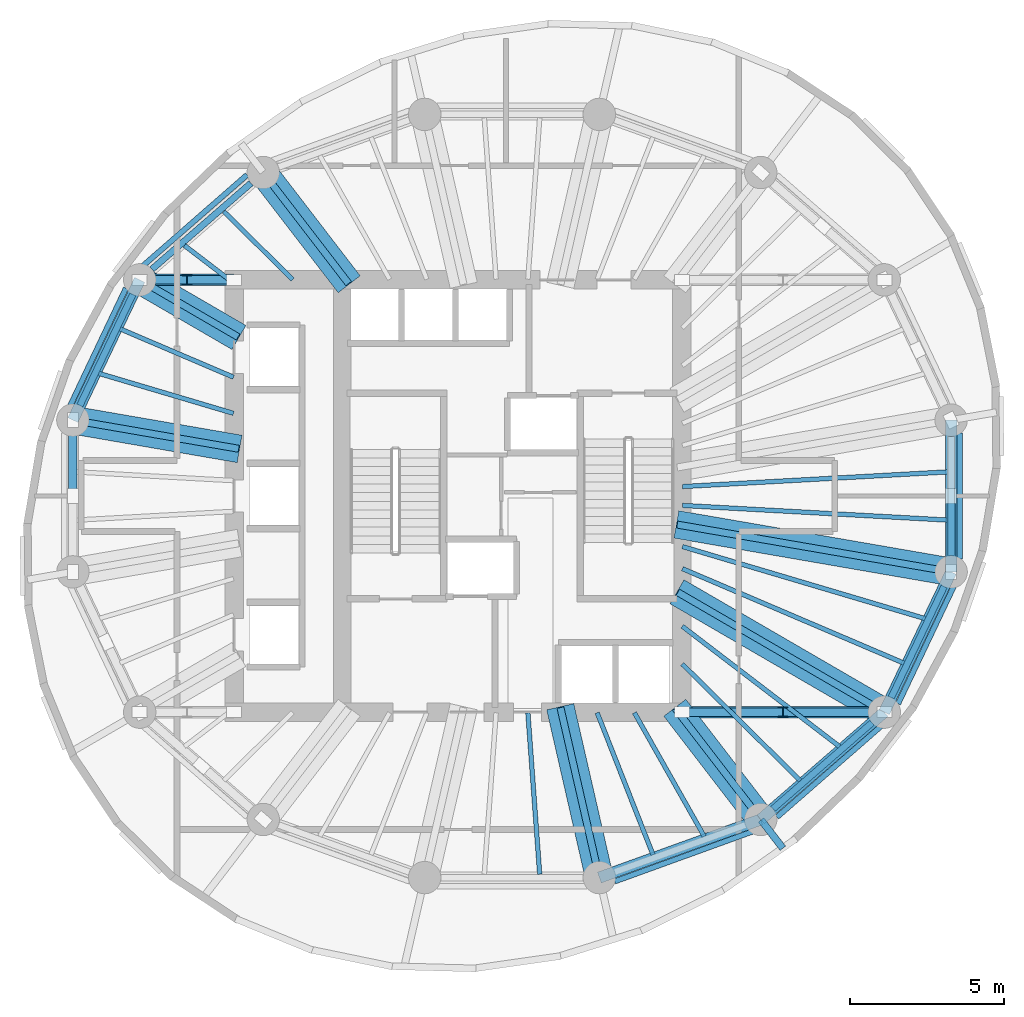
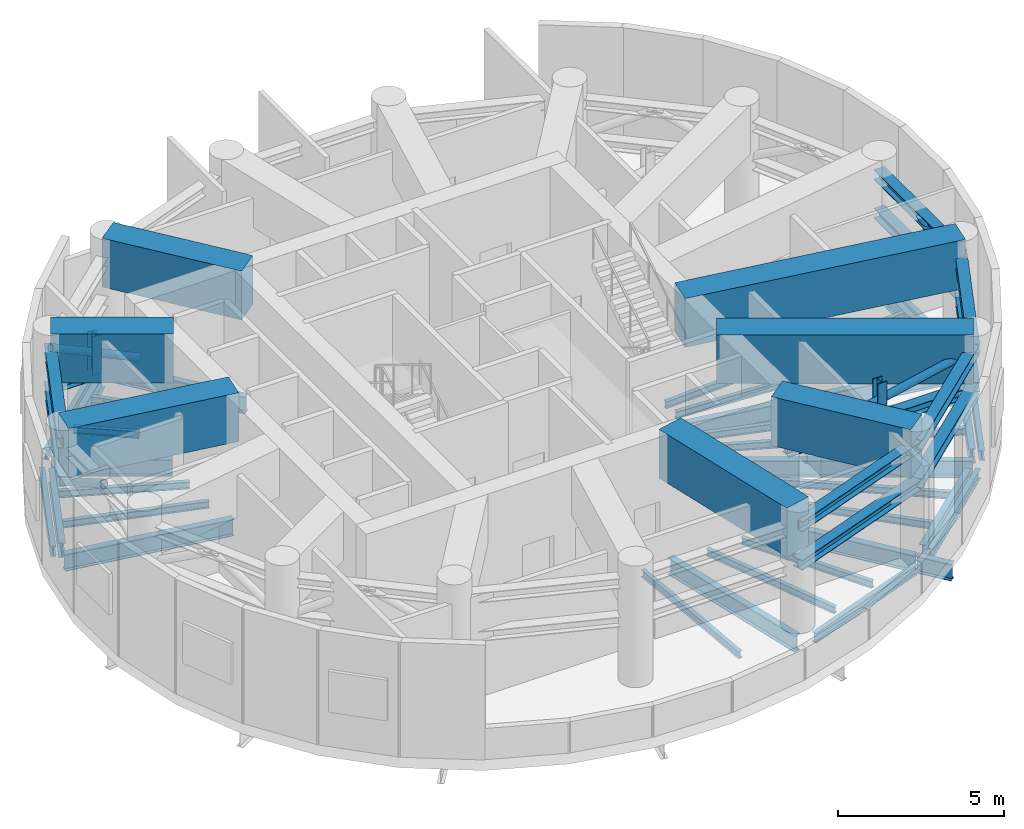
# One storey, part 2 of 8: 39 beams, 18 members.
"""IFC4 building model written with IfcOpenShell, lengths in metres."""

from ifc_helpers import new_model, si_unit, direction, frame, origin, origin_2d, place, context, subcontext, project, spatial, rectangle, hollow_circle, i_section, extrude, material, material_profile, profile_set, type_object, element, save


model = new_model("IFC4")

# Units and contexts
model_context = context("Model", 3, precision=1e-05, world=origin(), true_north=direction((0.0, 1.0)))
body_context = subcontext(model_context, "Body", "Model", "MODEL_VIEW")
ifc_project = project(units=[si_unit("LENGTHUNIT", "METRE"), si_unit("AREAUNIT", "SQUARE_METRE"), si_unit("VOLUMEUNIT", "CUBIC_METRE"), si_unit("PLANEANGLEUNIT", "RADIAN"), si_unit("MASSUNIT", "GRAM", prefix="KILO")], contexts=[model_context])

# Site, building, storey
site_placement = place(None, origin())
site = spatial("IfcSite", under=ifc_project, at=site_placement, CompositionType="ELEMENT")
building_placement = place(site_placement, origin())
building = spatial("IfcBuilding", under=site, at=building_placement, Name="Veldorim Arch Residences", CompositionType="ELEMENT")
storey_placement = place(building_placement, frame((0.0, 0.0, 158.56005859375)))
storey = spatial("IfcBuildingStorey", under=building, at=storey_placement, Name="L47", CompositionType="ELEMENT", Elevation=158.56005859375)

# Beams
ifc_material_1 = material(Name="Concrete C50/60", Category="concrete")
ifc_material_profile_1 = material_profile(ifc_material_1, rectangle(XDim=0.89990234375, YDim=1.800048828125, at=origin_2d()), Name="RC_RECT_900x1800")
ifc_profile_set_1 = profile_set([ifc_material_profile_1], Name="Concrete C50/60")
beam_type_1 = type_object("IfcBeamType", Name="Reinforced Concrete TRANSFER GIRDER RC_RECT_900x1800", PredefinedType="USERDEFINED", material=ifc_profile_set_1)
beam_1_placement = place(storey_placement, frame((26.72705078125, 30.857421875, 3.579833984375), z_axis=(-0.609573781427, 0.792729339054, 0.0), x_axis=(-0.792729339054, -0.609573781427, 0.0)))
element("IfcBeam", 1, at=beam_1_placement, inside=storey, type_object=beam_type_1, Name="L47 zone-setback radial transfer girder 06", ObjectType="TRANSFER GIRDER", PredefinedType="USERDEFINED", context=body_context, shape_type="SweptSolid", body=[
    extrude(rectangle(XDim=0.89990234375, YDim=1.800048828125, at=origin_2d()), origin(), (0.0, 0.0, 1.0), 4.5654296875),
])
beam_2_placement = place(storey_placement, frame((23.15576171875, 29.13525390625, 3.579833984375), z_axis=(-0.864804598535, 0.502108560326, 0.0), x_axis=(-0.502108560326, -0.864804598535, 0.0)))
element("IfcBeam", 2, at=beam_2_placement, inside=storey, type_object=beam_type_1, Name="L47 zone-setback radial transfer girder 07", ObjectType="TRANSFER GIRDER", PredefinedType="USERDEFINED", context=body_context, shape_type="SweptSolid", body=[
    extrude(rectangle(XDim=0.89990234375, YDim=1.800048828125, at=origin_2d()), origin(), (0.0, 0.0, 1.0), 3.71435546875),
])
beam_3_placement = place(storey_placement, frame((23.177490234375, 25.52490234375, 3.579833984375), z_axis=(-0.985391085562, 0.170306806956, 0.0), x_axis=(-0.170306806956, -0.985391085562, 0.0)))
element("IfcBeam", 3, at=beam_3_placement, inside=storey, type_object=beam_type_1, Name="L47 zone-setback radial transfer girder 08", ObjectType="TRANSFER GIRDER", PredefinedType="USERDEFINED", context=body_context, shape_type="SweptSolid", body=[
    extrude(rectangle(XDim=0.89990234375, YDim=1.800048828125, at=origin_2d()), origin(), (0.0, 0.0, 1.0), 5.47900390625),
])
beam_4_placement = place(storey_placement, frame((33.56201171875, 17.175537109375, 3.579833984375), z_axis=(0.223169286535, -0.974779703086, 0.0), x_axis=(0.974779703086, 0.223169286535, 0.0)))
element("IfcBeam", 4, at=beam_4_placement, inside=storey, type_object=beam_type_1, Name="L47 zone-setback radial transfer girder 13", ObjectType="TRANSFER GIRDER", PredefinedType="USERDEFINED", context=body_context, shape_type="SweptSolid", body=[
    extrude(rectangle(XDim=0.89990234375, YDim=1.800048828125, at=origin_2d()), origin(), (0.0, 0.0, 1.0), 5.676513671875),
])
beam_5_placement = place(storey_placement, frame((37.27294921875, 17.142578125, 3.579833984375), z_axis=(0.609573781427, -0.792729339054, 0.0), x_axis=(0.792729339054, 0.609573781427, 0.0)))
element("IfcBeam", 5, at=beam_5_placement, inside=storey, type_object=beam_type_1, Name="L47 zone-setback radial transfer girder 14", ObjectType="TRANSFER GIRDER", PredefinedType="USERDEFINED", context=body_context, shape_type="SweptSolid", body=[
    extrude(rectangle(XDim=0.89990234375, YDim=1.800048828125, at=origin_2d()), origin(), (0.0, 0.0, 1.0), 4.5654296875),
])
beam_6_placement = place(storey_placement, frame((37.34423828125, 20.89697265625, 3.579833984375), z_axis=(0.864798199437, -0.502119581625, 0.0), x_axis=(0.502119581625, 0.864798199437, 0.0)))
element("IfcBeam", 6, at=beam_6_placement, inside=storey, type_object=beam_type_1, Name="L47 zone-setback radial transfer girder 15", ObjectType="TRANSFER GIRDER", PredefinedType="USERDEFINED", context=body_context, shape_type="SweptSolid", body=[
    extrude(rectangle(XDim=0.89990234375, YDim=1.800048828125, at=origin_2d()), origin(), (0.0, 0.0, 1.0), 7.761474609375),
])
beam_7_placement = place(storey_placement, frame((37.322509765625, 23.080078125, 3.579833984375), z_axis=(0.985389793052, -0.170314285219, 0.0), x_axis=(0.170314285219, 0.985389793052, 0.0)))
element("IfcBeam", 7, at=beam_7_placement, inside=storey, type_object=beam_type_1, Name="L47 zone-setback radial transfer girder 16", ObjectType="TRANSFER GIRDER", PredefinedType="USERDEFINED", context=body_context, shape_type="SweptSolid", body=[
    extrude(rectangle(XDim=0.89990234375, YDim=1.800048828125, at=origin_2d()), origin(), (0.0, 0.0, 1.0), 9.03076171875),
])
ifc_material_2 = material(Name="Steel S355", Category="steel")
ifc_material_profile_2 = material_profile(ifc_material_2, i_section(OverallWidth=0.2099609375, OverallDepth=0.53662109375, WebThickness=0.0107421875, FlangeThickness=0.017333984375, at=origin_2d()), Name="UB533x210x101")
ifc_profile_set_2 = profile_set([ifc_material_profile_2], Name="Steel S355")
beam_type_2 = type_object("IfcBeamType", Name="Structural Steel Beam UB533x210x101", PredefinedType="BEAM", material=ifc_profile_set_2)
beam_8_placement = place(storey_placement, frame((23.5478515625, 34.132080078125, -0.66845703125), z_axis=(-0.754810789581, -0.655942582802, 0.0), x_axis=(0.655942582802, -0.754810789581, 0.0)))
element("IfcBeam", 8, at=beam_8_placement, inside=storey, type_object=beam_type_2, Name="L47 perimeter ring tie beam 06", PredefinedType="BEAM", context=body_context, shape_type="SweptSolid", body=[
    extrude(i_section(OverallWidth=0.2099609375, OverallDepth=0.53662109375, WebThickness=0.0107421875, FlangeThickness=0.017333984375, at=origin_2d()), origin(), (0.0, 0.0, 1.0), 4.249755859375),
])
beam_9_placement = place(storey_placement, frame((19.7177734375, 30.5263671875, -0.66845703125), z_axis=(-0.43028577851, -0.902692721147, 0.0), x_axis=(0.902692721147, -0.43028577851, 0.0)))
element("IfcBeam", 9, at=beam_9_placement, inside=storey, type_object=beam_type_2, Name="L47 perimeter ring tie beam 07", PredefinedType="BEAM", context=body_context, shape_type="SweptSolid", body=[
    extrude(i_section(OverallWidth=0.2099609375, OverallDepth=0.53662109375, WebThickness=0.0107421875, FlangeThickness=0.017333984375, at=origin_2d()), origin(), (0.0, 0.0, 1.0), 3.98193359375),
])
beam_10_placement = place(storey_placement, frame((40.4521484375, 13.867919921875, -0.66845703125), z_axis=(0.754810789581, 0.655942582802, 0.0), x_axis=(-0.655942582802, 0.754810789581, 0.0)))
element("IfcBeam", 10, at=beam_10_placement, inside=storey, type_object=beam_type_2, Name="L47 perimeter ring tie beam 14", PredefinedType="BEAM", context=body_context, shape_type="SweptSolid", body=[
    extrude(i_section(OverallWidth=0.2099609375, OverallDepth=0.53662109375, WebThickness=0.0107421875, FlangeThickness=0.017333984375, at=origin_2d()), origin(), (0.0, 0.0, 1.0), 4.249755859375),
])
beam_11_placement = place(storey_placement, frame((44.2822265625, 17.4736328125, -0.66845703125), z_axis=(0.43028577851, 0.902692721147, 0.0), x_axis=(-0.902692721147, 0.43028577851, 0.0)))
element("IfcBeam", 11, at=beam_11_placement, inside=storey, type_object=beam_type_2, Name="L47 perimeter ring tie beam 15", PredefinedType="BEAM", context=body_context, shape_type="SweptSolid", body=[
    extrude(i_section(OverallWidth=0.2099609375, OverallDepth=0.53662109375, WebThickness=0.0107421875, FlangeThickness=0.017333984375, at=origin_2d()), origin(), (0.0, 0.0, 1.0), 3.98193359375),
])
beam_12_placement = place(storey_placement, frame((46.221435546875, 22.06689453125, -0.66845703125), z_axis=(0.0, 1.0, 0.0), x_axis=(-1.0, 0.0, 0.0)))
element("IfcBeam", 12, at=beam_12_placement, inside=storey, type_object=beam_type_2, Name="L47 perimeter ring tie beam 16", PredefinedType="BEAM", context=body_context, shape_type="SweptSolid", body=[
    extrude(i_section(OverallWidth=0.2099609375, OverallDepth=0.53662109375, WebThickness=0.0107421875, FlangeThickness=0.017333984375, at=origin_2d()), origin(), (0.0, 0.0, 1.0), 3.8662109375),
])
ifc_material_3 = material(Name="Steel S355", Category="steel")
ifc_material_profile_3 = material_profile(ifc_material_3, i_section(OverallWidth=0.22900390625, OverallDepth=0.6123046875, WebThickness=0.011962890625, FlangeThickness=0.01953125, at=origin_2d()), Name="UB610x229x125")
ifc_profile_set_3 = profile_set([ifc_material_profile_3], Name="Steel S355")
beam_type_3 = type_object("IfcBeamType", Name="Structural Steel Beam UB610x229x125", PredefinedType="BEAM", material=ifc_profile_set_3)
beam_13_placement = place(storey_placement, frame((26.708740234375, 30.881103515625, -0.7060546875), z_axis=(-0.609559199361, 0.792740551804, 0.0), x_axis=(-0.792740551804, -0.609559199361, 0.0)))
element("IfcBeam", 13, at=beam_13_placement, inside=storey, type_object=beam_type_3, Name="L47 radial floor girder 06", PredefinedType="BEAM", context=body_context, shape_type="SweptSolid", body=[
    extrude(i_section(OverallWidth=0.22900390625, OverallDepth=0.6123046875, WebThickness=0.011962890625, FlangeThickness=0.01953125, at=origin_2d()), origin(), (0.0, 0.0, 1.0), 4.515380859375),
])
beam_14_placement = place(storey_placement, frame((23.129638671875, 29.150390625, -0.7060546875), z_axis=(-0.864794546612, 0.502125872815, 0.0), x_axis=(-0.502125872815, -0.864794546612, 0.0)))
element("IfcBeam", 14, at=beam_14_placement, inside=storey, type_object=beam_type_3, Name="L47 radial floor girder 07", PredefinedType="BEAM", context=body_context, shape_type="SweptSolid", body=[
    extrude(i_section(OverallWidth=0.22900390625, OverallDepth=0.6123046875, WebThickness=0.011962890625, FlangeThickness=0.01953125, at=origin_2d()), origin(), (0.0, 0.0, 1.0), 3.6640625),
])
beam_15_placement = place(storey_placement, frame((23.147705078125, 25.530029296875, -0.7060546875), z_axis=(-0.985390445301, 0.170310511449, 0.0), x_axis=(-0.170310511449, -0.985390445301, 0.0)))
element("IfcBeam", 15, at=beam_15_placement, inside=storey, type_object=beam_type_3, Name="L47 radial floor girder 08", PredefinedType="BEAM", context=body_context, shape_type="SweptSolid", body=[
    extrude(i_section(OverallWidth=0.22900390625, OverallDepth=0.6123046875, WebThickness=0.011962890625, FlangeThickness=0.01953125, at=origin_2d()), origin(), (0.0, 0.0, 1.0), 5.4287109375),
])
beam_16_placement = place(storey_placement, frame((33.56884765625, 17.146240234375, -0.7060546875), z_axis=(0.223119342184, -0.974791136164, 0.0), x_axis=(0.974791136164, 0.223119342184, 0.0)))
element("IfcBeam", 16, at=beam_16_placement, inside=storey, type_object=beam_type_3, Name="L47 radial floor girder 13", PredefinedType="BEAM", context=body_context, shape_type="SweptSolid", body=[
    extrude(i_section(OverallWidth=0.22900390625, OverallDepth=0.6123046875, WebThickness=0.011962890625, FlangeThickness=0.01953125, at=origin_2d()), origin(), (0.0, 0.0, 1.0), 5.62646484375),
])
beam_17_placement = place(storey_placement, frame((37.291259765625, 17.118896484375, -0.7060546875), z_axis=(0.609559199361, -0.792740551804, 0.0), x_axis=(0.792740551804, 0.609559199361, 0.0)))
element("IfcBeam", 17, at=beam_17_placement, inside=storey, type_object=beam_type_3, Name="L47 radial floor girder 14", PredefinedType="BEAM", context=body_context, shape_type="SweptSolid", body=[
    extrude(i_section(OverallWidth=0.22900390625, OverallDepth=0.6123046875, WebThickness=0.011962890625, FlangeThickness=0.01953125, at=origin_2d()), origin(), (0.0, 0.0, 1.0), 4.515380859375),
])
beam_18_placement = place(storey_placement, frame((40.068115234375, 13.507568359375, -0.7060546875), z_axis=(0.609526895481, -0.792765390065, 0.0), x_axis=(0.792765390065, 0.609526895481, 0.0)))
element("IfcBeam", 18, at=beam_18_placement, inside=storey, type_object=beam_type_3, Name="L47 radial edge cantilever girder 14", PredefinedType="BEAM", context=body_context, shape_type="SweptSolid", body=[
    extrude(i_section(OverallWidth=0.22900390625, OverallDepth=0.6123046875, WebThickness=0.011962890625, FlangeThickness=0.01953125, at=origin_2d()), origin(), (0.0, 0.0, 1.0), 1.1552734375),
])
beam_19_placement = place(storey_placement, frame((37.370361328125, 20.8818359375, -0.7060546875), z_axis=(0.864793381443, -0.502127879542, 0.0), x_axis=(0.502127879542, 0.864793381443, 0.0)))
element("IfcBeam", 19, at=beam_19_placement, inside=storey, type_object=beam_type_3, Name="L47 radial floor girder 15", PredefinedType="BEAM", context=body_context, shape_type="SweptSolid", body=[
    extrude(i_section(OverallWidth=0.22900390625, OverallDepth=0.6123046875, WebThickness=0.011962890625, FlangeThickness=0.01953125, at=origin_2d()), origin(), (0.0, 0.0, 1.0), 7.71142578125),
])
beam_20_placement = place(storey_placement, frame((37.352294921875, 23.074951171875, -0.7060546875), z_axis=(0.985389398766, -0.170316566427, 0.0), x_axis=(0.170316566427, 0.985389398766, 0.0)))
element("IfcBeam", 20, at=beam_20_placement, inside=storey, type_object=beam_type_3, Name="L47 radial floor girder 16", PredefinedType="BEAM", context=body_context, shape_type="SweptSolid", body=[
    extrude(i_section(OverallWidth=0.22900390625, OverallDepth=0.6123046875, WebThickness=0.011962890625, FlangeThickness=0.01953125, at=origin_2d()), origin(), (0.0, 0.0, 1.0), 8.98046875),
])
ifc_material_4 = material(Name="Steel S355", Category="steel")
ifc_material_profile_4 = material_profile(ifc_material_4, i_section(OverallWidth=0.146484375, OverallDepth=0.256103515625, WebThickness=0.00634765625, FlangeThickness=0.010986328125, at=origin_2d()), Name="UB254x146x37")
ifc_profile_set_4 = profile_set([ifc_material_profile_4], Name="Steel S355")
beam_type_4 = type_object("IfcBeamType", Name="Structural Steel Joist UB254x146x37", PredefinedType="JOIST", material=ifc_profile_set_4)
beam_21_placement = place(storey_placement, frame((24.894287109375, 31.013916015625, -0.528076171875), z_axis=(-0.711683379532, 0.702500368183, 0.0), x_axis=(-0.702500368183, -0.711683379532, 0.0)))
element("IfcBeam", 21, at=beam_21_placement, inside=storey, type_object=beam_type_4, Name="L47 secondary radial floor joist 06-1", PredefinedType="JOIST", context=body_context, shape_type="SweptSolid", body=[
    extrude(i_section(OverallWidth=0.146484375, OverallDepth=0.256103515625, WebThickness=0.00634765625, FlangeThickness=0.010986328125, at=origin_2d()), origin(), (0.0, 0.0, 1.0), 3.13720703125),
])
beam_22_placement = place(storey_placement, frame((22.984130859375, 30.89697265625, -0.528076171875), z_axis=(-0.794312925337, 0.607508828448, 0.0), x_axis=(-0.607508828448, -0.794312925337, 0.0)))
element("IfcBeam", 22, at=beam_22_placement, inside=storey, type_object=beam_type_4, Name="L47 secondary radial floor joist 06-2", PredefinedType="JOIST", context=body_context, shape_type="SweptSolid", body=[
    extrude(i_section(OverallWidth=0.146484375, OverallDepth=0.256103515625, WebThickness=0.00634765625, FlangeThickness=0.010986328125, at=origin_2d()), origin(), (0.0, 0.0, 1.0), 2.006103515625),
])
beam_23_placement = place(storey_placement, frame((22.981689453125, 27.84619140625, -0.528076171875), z_axis=(-0.919823469329, 0.392332493265, 0.0), x_axis=(-0.392332493265, -0.919823469329, 0.0)))
element("IfcBeam", 23, at=beam_23_placement, inside=storey, type_object=beam_type_4, Name="L47 secondary radial floor joist 07-1", PredefinedType="JOIST", context=body_context, shape_type="SweptSolid", body=[
    extrude(i_section(OverallWidth=0.146484375, OverallDepth=0.256103515625, WebThickness=0.00634765625, FlangeThickness=0.010986328125, at=origin_2d()), origin(), (0.0, 0.0, 1.0), 3.993896484375),
])
beam_24_placement = place(storey_placement, frame((22.980712890625, 26.677001953125, -0.528076171875), z_axis=(-0.95868163277, 0.284481154014, 0.0), x_axis=(-0.284481154014, -0.95868163277, 0.0)))
element("IfcBeam", 24, at=beam_24_placement, inside=storey, type_object=beam_type_4, Name="L47 secondary radial floor joist 07-2", PredefinedType="JOIST", context=body_context, shape_type="SweptSolid", body=[
    extrude(i_section(OverallWidth=0.146484375, OverallDepth=0.256103515625, WebThickness=0.00634765625, FlangeThickness=0.010986328125, at=origin_2d()), origin(), (0.0, 0.0, 1.0), 4.54931640625),
])
beam_25_placement = place(storey_placement, frame((32.51416015625, 16.97998046875, -0.528076171875), z_axis=(0.073060364166, -0.997327520521, 0.0), x_axis=(0.997327520521, 0.073060364166, 0.0)))
element("IfcBeam", 25, at=beam_25_placement, inside=storey, type_object=beam_type_4, Name="L47 secondary radial floor joist 12-2", PredefinedType="JOIST", context=body_context, shape_type="SweptSolid", body=[
    extrude(i_section(OverallWidth=0.146484375, OverallDepth=0.256103515625, WebThickness=0.00634765625, FlangeThickness=0.010986328125, at=origin_2d()), origin(), (0.0, 0.0, 1.0), 5.242919921875),
])
beam_26_placement = place(storey_placement, frame((34.7587890625, 16.9814453125, -0.528076171875), z_axis=(0.365777738491, -0.930702232739, 0.0), x_axis=(0.930702232739, 0.365777738491, 0.0)))
element("IfcBeam", 26, at=beam_26_placement, inside=storey, type_object=beam_type_4, Name="L47 secondary radial floor joist 13-1", PredefinedType="JOIST", context=body_context, shape_type="SweptSolid", body=[
    extrude(i_section(OverallWidth=0.146484375, OverallDepth=0.256103515625, WebThickness=0.00634765625, FlangeThickness=0.010986328125, at=origin_2d()), origin(), (0.0, 0.0, 1.0), 4.9404296875),
])
beam_27_placement = place(storey_placement, frame((35.96337890625, 16.982666015625, -0.528076171875), z_axis=(0.491815801586, -0.870699269157, 0.0), x_axis=(0.870699269157, 0.491815801586, 0.0)))
element("IfcBeam", 27, at=beam_27_placement, inside=storey, type_object=beam_type_4, Name="L47 secondary radial floor joist 13-2", PredefinedType="JOIST", context=body_context, shape_type="SweptSolid", body=[
    extrude(i_section(OverallWidth=0.146484375, OverallDepth=0.256103515625, WebThickness=0.00634765625, FlangeThickness=0.010986328125, at=origin_2d()), origin(), (0.0, 0.0, 1.0), 4.59814453125),
])
beam_28_placement = place(storey_placement, frame((37.51416015625, 18.556884765625, -0.528076171875), z_axis=(0.711703457158, -0.702480027523, 0.0), x_axis=(0.702480027523, 0.711703457158, 0.0)))
element("IfcBeam", 28, at=beam_28_placement, inside=storey, type_object=beam_type_4, Name="L47 secondary radial floor joist 14-1", PredefinedType="JOIST", context=body_context, shape_type="SweptSolid", body=[
    extrude(i_section(OverallWidth=0.146484375, OverallDepth=0.256103515625, WebThickness=0.00634765625, FlangeThickness=0.010986328125, at=origin_2d()), origin(), (0.0, 0.0, 1.0), 5.373291015625),
])
beam_29_placement = place(storey_placement, frame((37.515869140625, 19.780517578125, -0.528076171875), z_axis=(0.794267053144, -0.607568801281, 0.0), x_axis=(0.607568801281, 0.794267053144, 0.0)))
element("IfcBeam", 29, at=beam_29_placement, inside=storey, type_object=beam_type_4, Name="L47 secondary radial floor joist 14-2", PredefinedType="JOIST", context=body_context, shape_type="SweptSolid", body=[
    extrude(i_section(OverallWidth=0.146484375, OverallDepth=0.256103515625, WebThickness=0.00634765625, FlangeThickness=0.010986328125, at=origin_2d()), origin(), (0.0, 0.0, 1.0), 6.412841796875),
])
beam_30_placement = place(storey_placement, frame((37.518310546875, 21.646484375, -0.528076171875), z_axis=(0.919831795434, -0.39231297214, 0.0), x_axis=(0.39231297214, 0.919831795434, 0.0)))
element("IfcBeam", 30, at=beam_30_placement, inside=storey, type_object=beam_type_4, Name="L47 secondary radial floor joist 15-1", PredefinedType="JOIST", context=body_context, shape_type="SweptSolid", body=[
    extrude(i_section(OverallWidth=0.146484375, OverallDepth=0.256103515625, WebThickness=0.00634765625, FlangeThickness=0.010986328125, at=origin_2d()), origin(), (0.0, 0.0, 1.0), 7.798828125),
])
beam_31_placement = place(storey_placement, frame((37.519287109375, 22.36181640625, -0.528076171875), z_axis=(0.958674276305, -0.284505943614, 0.0), x_axis=(0.284505943614, 0.958674276305, 0.0)))
element("IfcBeam", 31, at=beam_31_placement, inside=storey, type_object=beam_type_4, Name="L47 secondary radial floor joist 15-2", PredefinedType="JOIST", context=body_context, shape_type="SweptSolid", body=[
    extrude(i_section(OverallWidth=0.146484375, OverallDepth=0.256103515625, WebThickness=0.00634765625, FlangeThickness=0.010986328125, at=origin_2d()), origin(), (0.0, 0.0, 1.0), 8.2001953125),
])
for number, where, z_axis, x_axis, name in (
    (32, (37.52001953125, 23.694580078125, -0.528076171875), (0.998474809964, -0.055209182821, 0.0), (0.055209182821, 0.998474809964, 0.0), "L47 secondary radial floor joist 16-1"),
    (33, (37.52001953125, 24.305419921875, -0.528076171875), (0.998474809964, 0.055209182821, 0.0), (-0.055209182821, 0.998474809964, 0.0), "L47 secondary radial floor joist 16-2"),
):
    element("IfcBeam", number, at=place(storey_placement, frame(where, z_axis=z_axis, x_axis=x_axis)), inside=storey, type_object=beam_type_4, Name=name, PredefinedType="JOIST", context=body_context, shape_type="SweptSolid", body=[
        extrude(i_section(OverallWidth=0.146484375, OverallDepth=0.256103515625, WebThickness=0.00634765625, FlangeThickness=0.010986328125, at=origin_2d()), origin(), (0.0, 0.0, 1.0), 8.60546875),
    ])
ifc_material_5 = material(Name="Steel S355", Category="steel")
ifc_material_profile_5 = material_profile(ifc_material_5, i_section(OverallWidth=0.172119140625, OverallDepth=0.35791015625, WebThickness=0.008056640625, FlangeThickness=0.012939453125, at=origin_2d()), Name="UB356x171x57")
ifc_profile_set_5 = profile_set([ifc_material_profile_5], Name="Steel S355")
beam_type_5 = type_object("IfcBeamType", Name="Structural Steel Spandrel UB356x171x57", PredefinedType="SPANDREL", material=ifc_profile_set_5)
beam_32_placement = place(storey_placement, frame((23.42041015625, 34.4013671875, -0.59912109375), z_axis=(-0.753014748982, -0.658003638148, 0.0), x_axis=(0.658003638148, -0.753014748982, 0.0)))
element("IfcBeam", 34, at=beam_32_placement, inside=storey, type_object=beam_type_5, Name="L47 perimeter chord spandrel beam 06", PredefinedType="SPANDREL", context=body_context, shape_type="SweptSolid", body=[
    extrude(i_section(OverallWidth=0.172119140625, OverallDepth=0.35791015625, WebThickness=0.008056640625, FlangeThickness=0.012939453125, at=origin_2d()), origin(), (0.0, 0.0, 1.0), 4.486572265625),
])
beam_33_placement = place(storey_placement, frame((19.49609375, 30.727783203125, -0.59912109375), z_axis=(-0.428579957662, -0.903503857153, 0.0), x_axis=(0.903503857153, -0.428579957662, 0.0)))
element("IfcBeam", 35, at=beam_33_placement, inside=storey, type_object=beam_type_5, Name="L47 perimeter chord spandrel beam 07", PredefinedType="SPANDREL", context=body_context, shape_type="SweptSolid", body=[
    extrude(i_section(OverallWidth=0.172119140625, OverallDepth=0.35791015625, WebThickness=0.008056640625, FlangeThickness=0.012939453125, at=origin_2d()), origin(), (0.0, 0.0, 1.0), 4.209228515625),
])
beam_34_placement = place(storey_placement, frame((35.32763671875, 11.51806640625, -0.59912109375), z_axis=(0.940212553113, 0.340588248429, 0.0), x_axis=(-0.340588248429, 0.940212553113, 0.0)))
element("IfcBeam", 36, at=beam_34_placement, inside=storey, type_object=beam_type_5, Name="L47 perimeter chord spandrel beam 13", PredefinedType="SPANDREL", context=body_context, shape_type="SweptSolid", body=[
    extrude(i_section(OverallWidth=0.172119140625, OverallDepth=0.35791015625, WebThickness=0.008056640625, FlangeThickness=0.012939453125, at=origin_2d()), origin(), (0.0, 0.0, 1.0), 4.75390625),
])
beam_35_placement = place(storey_placement, frame((40.57958984375, 13.5986328125, -0.59912109375), z_axis=(0.753014748982, 0.658003638148, 0.0), x_axis=(-0.658003638148, 0.753014748982, 0.0)))
element("IfcBeam", 37, at=beam_35_placement, inside=storey, type_object=beam_type_5, Name="L47 perimeter chord spandrel beam 14", PredefinedType="SPANDREL", context=body_context, shape_type="SweptSolid", body=[
    extrude(i_section(OverallWidth=0.172119140625, OverallDepth=0.35791015625, WebThickness=0.008056640625, FlangeThickness=0.012939453125, at=origin_2d()), origin(), (0.0, 0.0, 1.0), 4.486572265625),
])
beam_36_placement = place(storey_placement, frame((44.50390625, 17.272216796875, -0.59912109375), z_axis=(0.428579957662, 0.903503857153, 0.0), x_axis=(-0.903503857153, 0.428579957662, 0.0)))
element("IfcBeam", 38, at=beam_36_placement, inside=storey, type_object=beam_type_5, Name="L47 perimeter chord spandrel beam 15", PredefinedType="SPANDREL", context=body_context, shape_type="SweptSolid", body=[
    extrude(i_section(OverallWidth=0.172119140625, OverallDepth=0.35791015625, WebThickness=0.008056640625, FlangeThickness=0.012939453125, at=origin_2d()), origin(), (0.0, 0.0, 1.0), 4.209228515625),
])
beam_37_placement = place(storey_placement, frame((46.505859375, 21.95458984375, -0.59912109375), z_axis=(0.0, 1.0, 0.0), x_axis=(-1.0, 0.0, 0.0)))
element("IfcBeam", 39, at=beam_37_placement, inside=storey, type_object=beam_type_5, Name="L47 perimeter chord spandrel beam 16", PredefinedType="SPANDREL", context=body_context, shape_type="SweptSolid", body=[
    extrude(i_section(OverallWidth=0.172119140625, OverallDepth=0.35791015625, WebThickness=0.008056640625, FlangeThickness=0.012939453125, at=origin_2d()), origin(), (0.0, 0.0, 1.0), 4.0908203125),
])

# Members
ifc_material_6 = material(Name="Steel S460", Category="steel")
ifc_material_profile_6 = material_profile(ifc_material_6, hollow_circle(Radius=0.136474609375, WallThickness=0.01611328125, at=origin_2d()), Name="CHS273x16")
ifc_profile_set_6 = profile_set([ifc_material_profile_6], Name="Steel S460")
member_type_1 = type_object("IfcMemberType", Name="Truss Brace CHS273x16", PredefinedType="BRACE", material=ifc_profile_set_6)
for number, where, z_axis, x_axis, name in (
    (40, (17.778564453125, 26.4580078125, 2.239990234375), (0.0, -0.865904809514, 0.500208817256), (1.0, 0.0, 0.0), "L47 belt truss chevron brace 08A"),
    (41, (46.221435546875, 21.5419921875, 2.239990234375), (0.0, 0.865904809514, 0.500208817256), (-1.0, 0.0, 0.0), "L47 belt truss chevron brace 16A"),
):
    element("IfcMember", number, at=place(storey_placement, frame(where, z_axis=z_axis, x_axis=x_axis)), inside=storey, type_object=member_type_1, Name=name, PredefinedType="BRACE", context=body_context, shape_type="SweptSolid", body=[
        extrude(hollow_circle(Radius=0.136474609375, WallThickness=0.01611328125, at=origin_2d()), origin(), (0.0, 0.0, 1.0), 2.838623046875),
    ])
member_1_placement = place(storey_placement, frame((37.5, 17.0, 2.239990234375), z_axis=(0.977342592017, -3.6393319e-05, 0.211663545529), x_axis=(3.7237014e-05, 0.999999999307, 0.0)))
element("IfcMember", 42, at=member_1_placement, inside=storey, type_object=member_type_1, Name="L47 outrigger truss diagonal 01", PredefinedType="BRACE", context=body_context, shape_type="SweptSolid", body=[
    extrude(hollow_circle(Radius=0.136474609375, WallThickness=0.01611328125, at=origin_2d()), origin(), (0.0, 0.0, 1.0), 6.70849609375),
])
member_2_placement = place(storey_placement, frame((23.0, 31.0, 2.239990234375), z_axis=(-0.906909131753, 7.2442618e-05, 0.4213262649), x_axis=(-7.9878584e-05, -0.99999999681, 0.0)))
element("IfcMember", 43, at=member_2_placement, inside=storey, type_object=member_type_1, Name="L47 outrigger truss diagonal 03", PredefinedType="BRACE", context=body_context, shape_type="SweptSolid", body=[
    extrude(hollow_circle(Radius=0.136474609375, WallThickness=0.01611328125, at=origin_2d()), origin(), (0.0, 0.0, 1.0), 3.3701171875),
])
ifc_material_7 = material(Name="Steel S460", Category="steel")
ifc_material_profile_7 = material_profile(ifc_material_7, i_section(OverallWidth=0.37060546875, OverallDepth=0.362060546875, WebThickness=0.01220703125, FlangeThickness=0.020751953125, at=origin_2d()), Name="UC356x368x153")
ifc_profile_set_7 = profile_set([ifc_material_profile_7], Name="Steel S460")
member_type_2 = type_object("IfcMemberType", Name="Truss Chord UC356x368x153", PredefinedType="CHORD", material=ifc_profile_set_7)
for number, where, z_axis, x_axis, name in (
    (44, (19.943603515625, 31.000244140625, 2.239990234375), (-0.430268791034, -0.902700818357, 0.0), (0.902700818357, -0.430268791034, 0.0), "L47 belt truss bottom chord 07"),
    (45, (19.943603515625, 31.000244140625, 3.659912109375), (-0.430268791034, -0.902700818357, 0.0), (0.902700818357, -0.430268791034, 0.0), "L47 belt truss top chord 07"),
):
    element("IfcMember", number, at=place(storey_placement, frame(where, z_axis=z_axis, x_axis=x_axis)), inside=storey, type_object=member_type_2, Name=name, PredefinedType="CHORD", context=body_context, shape_type="SweptSolid", body=[
        extrude(i_section(OverallWidth=0.37060546875, OverallDepth=0.362060546875, WebThickness=0.01220703125, FlangeThickness=0.020751953125, at=origin_2d()), origin(), (0.0, 0.0, 1.0), 5.03173828125),
    ])
for number, where, z_axis, x_axis, name in (
    (46, (34.828857421875, 11.64208984375, 2.239990234375), (0.940909819153, 0.338657219355, 0.0), (-0.338657219355, 0.940909819153, 0.0), "L47 belt truss bottom chord 13"),
    (47, (34.828857421875, 11.64208984375, 3.659912109375), (0.940909819153, 0.338657219355, 0.0), (-0.338657219355, 0.940909819153, 0.0), "L47 belt truss top chord 13"),
):
    element("IfcMember", number, at=place(storey_placement, frame(where, z_axis=z_axis, x_axis=x_axis)), inside=storey, type_object=member_type_2, Name=name, PredefinedType="CHORD", context=body_context, shape_type="SweptSolid", body=[
        extrude(i_section(OverallWidth=0.37060546875, OverallDepth=0.362060546875, WebThickness=0.01220703125, FlangeThickness=0.020751953125, at=origin_2d()), origin(), (0.0, 0.0, 1.0), 5.555419921875),
    ])
for number, where, z_axis, x_axis, name in (
    (48, (40.055908203125, 13.5234375, 2.239990234375), (0.754826632598, 0.655924351371, 0.0), (-0.655924351371, 0.754826632598, 0.0), "L47 belt truss bottom chord 14"),
    (49, (40.055908203125, 13.5234375, 3.659912109375), (0.754826632598, 0.655924351371, 0.0), (-0.655924351371, 0.754826632598, 0.0), "L47 belt truss top chord 14"),
):
    element("IfcMember", number, at=place(storey_placement, frame(where, z_axis=z_axis, x_axis=x_axis)), inside=storey, type_object=member_type_2, Name=name, PredefinedType="CHORD", context=body_context, shape_type="SweptSolid", body=[
        extrude(i_section(OverallWidth=0.37060546875, OverallDepth=0.362060546875, WebThickness=0.01220703125, FlangeThickness=0.020751953125, at=origin_2d()), origin(), (0.0, 0.0, 1.0), 5.2998046875),
    ])
for number, where, z_axis, x_axis, name in (
    (50, (44.056396484375, 16.999755859375, 2.239990234375), (0.430268791034, 0.902700818357, 0.0), (-0.902700818357, 0.430268791034, 0.0), "L47 belt truss bottom chord 15"),
    (51, (44.056396484375, 16.999755859375, 3.659912109375), (0.430268791034, 0.902700818357, 0.0), (-0.902700818357, 0.430268791034, 0.0), "L47 belt truss top chord 15"),
):
    element("IfcMember", number, at=place(storey_placement, frame(where, z_axis=z_axis, x_axis=x_axis)), inside=storey, type_object=member_type_2, Name=name, PredefinedType="CHORD", context=body_context, shape_type="SweptSolid", body=[
        extrude(i_section(OverallWidth=0.37060546875, OverallDepth=0.362060546875, WebThickness=0.01220703125, FlangeThickness=0.020751953125, at=origin_2d()), origin(), (0.0, 0.0, 1.0), 5.03173828125),
    ])
for number, where, z_axis, x_axis, name in (
    (52, (46.221435546875, 21.5419921875, 2.239990234375), (0.0, 1.0, 0.0), (-1.0, 0.0, 0.0), "L47 belt truss bottom chord 16"),
    (53, (46.221435546875, 21.5419921875, 3.659912109375), (0.0, 1.0, 0.0), (-1.0, 0.0, 0.0), "L47 belt truss top chord 16"),
):
    element("IfcMember", number, at=place(storey_placement, frame(where, z_axis=z_axis, x_axis=x_axis)), inside=storey, type_object=member_type_2, Name=name, PredefinedType="CHORD", context=body_context, shape_type="SweptSolid", body=[
        extrude(i_section(OverallWidth=0.37060546875, OverallDepth=0.362060546875, WebThickness=0.01220703125, FlangeThickness=0.020751953125, at=origin_2d()), origin(), (0.0, 0.0, 1.0), 4.916015625),
    ])
member_3_placement = place(storey_placement, frame((37.5, 17.0, 2.239990234375), z_axis=(0.999999999307, -3.7237014e-05, 0.0), x_axis=(3.7237014e-05, 0.999999999307, 0.0)))
element("IfcMember", 54, at=member_3_placement, inside=storey, type_object=member_type_2, Name="L47 outrigger truss bottom chord 01", PredefinedType="CHORD", context=body_context, shape_type="SweptSolid", body=[
    extrude(i_section(OverallWidth=0.37060546875, OverallDepth=0.362060546875, WebThickness=0.01220703125, FlangeThickness=0.020751953125, at=origin_2d()), origin(), (0.0, 0.0, 1.0), 6.556396484375),
])
member_4_placement = place(storey_placement, frame((23.0, 31.0, 2.239990234375), z_axis=(-0.99999999681, 7.9878584e-05, 0.0), x_axis=(-7.9878584e-05, -0.99999999681, 0.0)))
element("IfcMember", 55, at=member_4_placement, inside=storey, type_object=member_type_2, Name="L47 outrigger truss bottom chord 03", PredefinedType="CHORD", context=body_context, shape_type="SweptSolid", body=[
    extrude(i_section(OverallWidth=0.37060546875, OverallDepth=0.362060546875, WebThickness=0.01220703125, FlangeThickness=0.020751953125, at=origin_2d()), origin(), (0.0, 0.0, 1.0), 3.056396484375),
])
ifc_material_8 = material(Name="Steel S460", Category="steel")
ifc_material_profile_8 = material_profile(ifc_material_8, i_section(OverallWidth=0.311279296875, OverallDepth=0.3271484375, WebThickness=0.015869140625, FlangeThickness=0.02490234375, at=origin_2d()), Name="UC305x305x158")
ifc_profile_set_8 = profile_set([ifc_material_profile_8], Name="Steel S460")
member_type_3 = type_object("IfcMemberType", Name="Truss Post UC305x305x158", PredefinedType="POST", material=ifc_profile_set_8)
for number, where, z_axis, x_axis, name in (
    (56, (40.778076171875, 17.0, 2.239990234375), (0.0, 0.0, 1.0), (1.0, 0.0, 0.0), "L47 outrigger truss mid-post 01"),
    (57, (21.471923828125, 31.0, 2.239990234375), (0.0, 0.0, 1.0), (1.0, 0.0, 0.0), "L47 outrigger truss mid-post 03"),
):
    element("IfcMember", number, at=place(storey_placement, frame(where, z_axis=z_axis, x_axis=x_axis)), inside=storey, type_object=member_type_3, Name=name, PredefinedType="POST", context=body_context, shape_type="SweptSolid", body=[
        extrude(i_section(OverallWidth=0.311279296875, OverallDepth=0.3271484375, WebThickness=0.015869140625, FlangeThickness=0.02490234375, at=origin_2d()), origin(), (0.0, 0.0, 1.0), 1.419921875),
    ])

save(model, "model.ifc")
